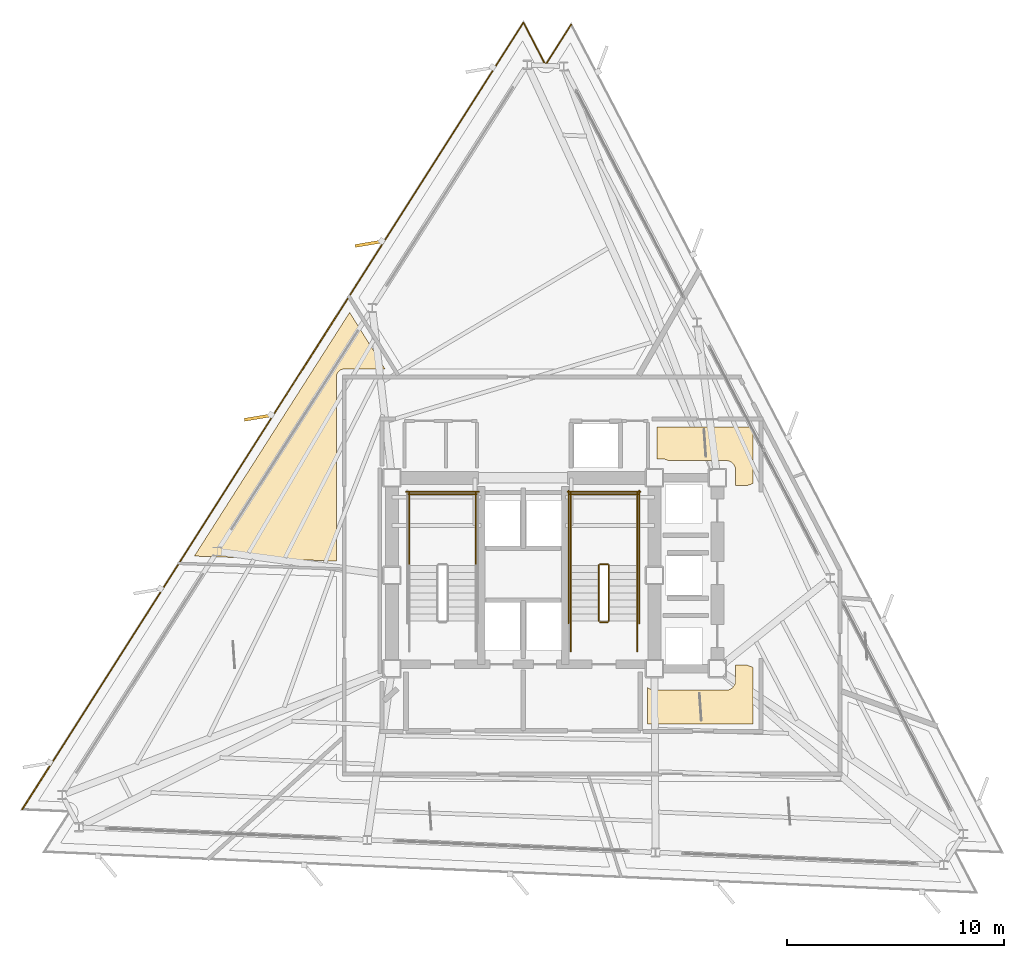
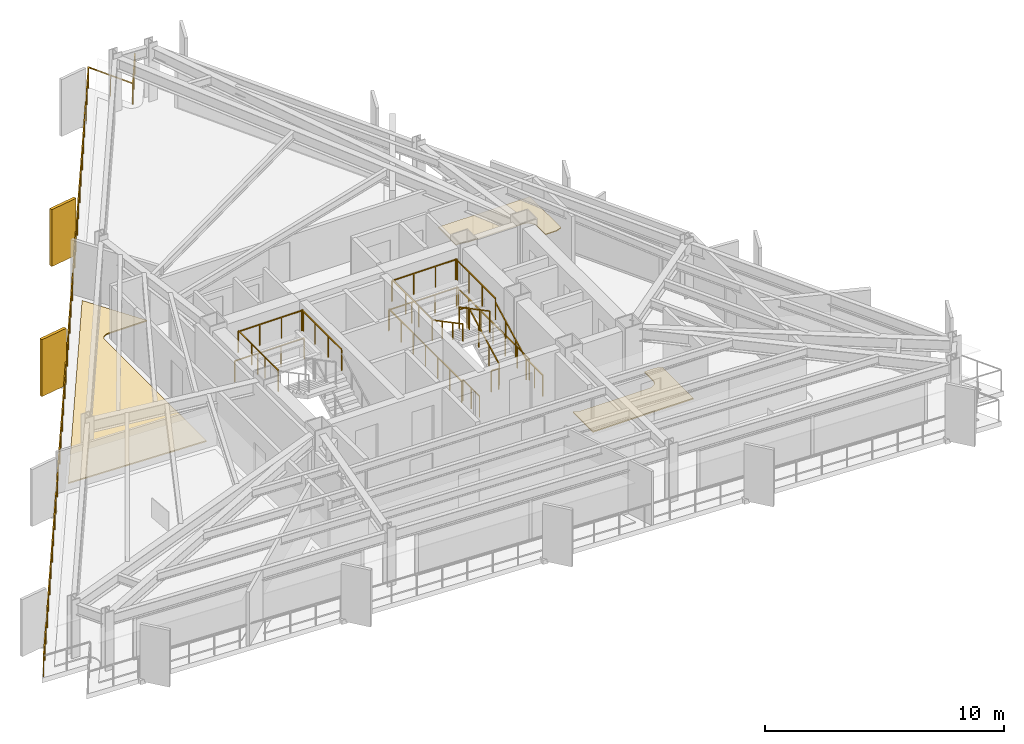
# One storey, part 11 of 12: 19 railings, 3 coverings, 2 shading devices.
"""IFC4 building model written with IfcOpenShell, lengths in metres."""

from ifc_helpers import new_model, si_unit, direction, frame, origin, origin_2d, place, context, subcontext, project, spatial, polyline, rectangle, outline, extrude, material, layer, layer_set, type_object, element, save


model = new_model("IFC4")

# Units and contexts
model_context = context("Model", 3, precision=1e-05, world=origin(), true_north=direction((0.0, 1.0)))
body_context = subcontext(model_context, "Body", "Model", "MODEL_VIEW")
ifc_project = project(units=[si_unit("LENGTHUNIT", "METRE"), si_unit("AREAUNIT", "SQUARE_METRE"), si_unit("VOLUMEUNIT", "CUBIC_METRE"), si_unit("PLANEANGLEUNIT", "RADIAN"), si_unit("MASSUNIT", "GRAM", prefix="KILO")], contexts=[model_context])

# Site, building, storey
site_placement = place(None, origin())
site = spatial("IfcSite", under=ifc_project, at=site_placement, CompositionType="ELEMENT")
building_placement = place(site_placement, origin())
building = spatial("IfcBuilding", under=site, at=building_placement, Name="Rocaltana Carrier Exchange", CompositionType="ELEMENT")
storey_placement = place(building_placement, frame((0.0, 0.0, 135.0400390625)))
storey = spatial("IfcBuildingStorey", under=building, at=storey_placement, Name="L42", CompositionType="ELEMENT", Elevation=135.0400390625)

# Coverings
ifc_material_1 = material(Name="Calcium Sulphate & Aluminium Pedestal", Category="aluminium")
ifc_layer_1 = layer(ifc_material_1, 0.06005859375)
ifc_layer_set_1 = layer_set([ifc_layer_1], Name="Calcium Sulphate & Aluminium Pedestal")
covering_type_1 = type_object("IfcCoveringType", Name="Anti-Static Raised Exchange Access Floor 60", PredefinedType="FLOORING", material=ifc_layer_set_1)
covering_1_placement = place(storey_placement, origin())
element("IfcCovering", 1, at=covering_1_placement, inside=storey, type_object=covering_type_1, Name="L42 Peering Conference Room Finish Floor", PredefinedType="FLOORING", context=body_context, shape_type="SweptSolid", body=[
    extrude(outline(polyline([(5.739990234375, -6.840087890625), (5.739990234375, -5.161865234375), (5.748779296875, -5.170654296875), (5.760498046875, -5.18115234375), (5.78173828125, -5.198486328125), (5.794189453125, -5.2080078125), (5.817138671875, -5.22314453125), (5.83056640625, -5.231201171875), (5.85498046875, -5.244140625), (5.869140625, -5.2509765625), (5.894287109375, -5.261474609375), (5.9091796875, -5.2666015625), (5.935546875, -5.274658203125), (5.95068359375, -5.278564453125), (5.977783203125, -5.283935546875), (5.9931640625, -5.2861328125), (6.0205078125, -5.288818359375), (6.036376953125, -5.289794921875), (6.050048828125, -5.2900390625), (9.35009765625, -5.2900390625), (9.36376953125, -5.289794921875), (9.37939453125, -5.288818359375), (9.40673828125, -5.2861328125), (9.42236328125, -5.283935546875), (9.44921875, -5.278564453125), (9.464599609375, -5.274658203125), (9.49072265625, -5.2666015625), (9.505615234375, -5.261474609375), (9.531005859375, -5.2509765625), (9.545166015625, -5.244140625), (9.5693359375, -5.231201171875), (9.582763671875, -5.22314453125), (9.605712890625, -5.2080078125), (9.618408203125, -5.198486328125), (9.639404296875, -5.18115234375), (9.651123046875, -5.170654296875), (9.670654296875, -5.151123046875), (9.68115234375, -5.139404296875), (9.698486328125, -5.118408203125), (9.7080078125, -5.105712890625), (9.72314453125, -5.082763671875), (9.731201171875, -5.0693359375), (9.744140625, -5.045166015625), (9.7509765625, -5.031005859375), (9.761474609375, -5.005615234375), (9.7666015625, -4.99072265625), (9.774658203125, -4.964599609375), (9.778564453125, -4.94921875), (9.783935546875, -4.92236328125), (9.7861328125, -4.90673828125), (9.788818359375, -4.87939453125), (9.789794921875, -4.86376953125), (9.7900390625, -4.85009765625), (9.7900390625, -4.139892578125), (10.322021484375, -4.139892578125), (10.60009765625, -4.2412109375), (10.60009765625, -6.840087890625), (5.739990234375, -6.840087890625)])), origin(), (0.0, 0.0, 1.0), 0.06005859375),
])
covering_2_placement = place(storey_placement, origin())
element("IfcCovering", 2, at=covering_2_placement, inside=storey, type_object=covering_type_1, Name="L42 Cloud Architecture Office Finish Floor", PredefinedType="FLOORING", context=body_context, shape_type="SweptSolid", body=[
    extrude(outline(polyline([(-8.0, 12.123291015625), (-6.366943359375, 9.510009765625), (-8.25, 9.510009765625), (-8.263671875, 9.509765625), (-8.271484375, 9.50927734375), (-8.298828125, 9.506591796875), (-8.306640625, 9.50537109375), (-8.33349609375, 9.5), (-8.34130859375, 9.498291015625), (-8.36767578125, 9.490234375), (-8.375, 9.487548828125), (-8.400390625, 9.47705078125), (-8.407470703125, 9.4736328125), (-8.431640625, 9.460693359375), (-8.4384765625, 9.456787109375), (-8.461181640625, 9.44140625), (-8.467529296875, 9.436767578125), (-8.48876953125, 9.419189453125), (-8.49462890625, 9.4140625), (-8.513916015625, 9.39453125), (-8.519287109375, 9.388916015625), (-8.53662109375, 9.367431640625), (-8.54150390625, 9.361083984375), (-8.556640625, 9.33837890625), (-8.560791015625, 9.331787109375), (-8.57373046875, 9.307373046875), (-8.576904296875, 9.30029296875), (-8.58740234375, 9.27490234375), (-8.590087890625, 9.267578125), (-8.59814453125, 9.2412109375), (-8.60009765625, 9.233642578125), (-8.60546875, 9.206787109375), (-8.606689453125, 9.198974609375), (-8.609375, 9.171630859375), (-8.609619140625, 9.163818359375), (-8.610107421875, 9.14990234375), (-8.610107421875, 0.660888671875), (-15.15673828125, 0.889404296875), (-8.0, 12.123291015625)])), origin(), (0.0, 0.0, 1.0), 0.06005859375),
])
ifc_material_2 = material(Name="Mineral Fibre & Powder-Coated Aluminium", Category="aluminium")
ifc_layer_2 = layer(ifc_material_2, 0.044921875)
ifc_layer_set_2 = layer_set([ifc_layer_2], Name="Mineral Fibre & Powder-Coated Aluminium")
covering_type_2 = type_object("IfcCoveringType", Name="Micro-Perforated Acoustic Ceiling 45", PredefinedType="CEILING", material=ifc_layer_set_2)
covering_3_placement = place(storey_placement, frame((0.0, 0.0, 2.012939453125)))
element("IfcCovering", 3, at=covering_3_placement, inside=storey, type_object=covering_type_2, Name="L42 Network Engineering Studio Acoustic Ceiling", PredefinedType="CEILING", context=body_context, shape_type="SweptSolid", body=[
    extrude(outline(polyline([(6.159912109375, 6.840087890625), (10.60009765625, 6.840087890625), (10.60009765625, 4.2412109375), (10.322021484375, 4.139892578125), (9.7900390625, 4.139892578125), (9.7900390625, 4.85009765625), (9.789794921875, 4.86376953125), (9.788818359375, 4.87939453125), (9.7861328125, 4.90673828125), (9.783935546875, 4.92236328125), (9.778564453125, 4.94921875), (9.774658203125, 4.964599609375), (9.7666015625, 4.99072265625), (9.761474609375, 5.005615234375), (9.7509765625, 5.031005859375), (9.744140625, 5.045166015625), (9.731201171875, 5.0693359375), (9.72314453125, 5.082763671875), (9.7080078125, 5.105712890625), (9.698486328125, 5.118408203125), (9.68115234375, 5.139404296875), (9.670654296875, 5.151123046875), (9.651123046875, 5.170654296875), (9.639404296875, 5.18115234375), (9.618408203125, 5.198486328125), (9.605712890625, 5.2080078125), (9.582763671875, 5.22314453125), (9.5693359375, 5.231201171875), (9.545166015625, 5.244140625), (9.531005859375, 5.2509765625), (9.505615234375, 5.261474609375), (9.49072265625, 5.2666015625), (9.464599609375, 5.274658203125), (9.44921875, 5.278564453125), (9.42236328125, 5.283935546875), (9.40673828125, 5.2861328125), (9.37939453125, 5.288818359375), (9.36376953125, 5.289794921875), (9.35009765625, 5.2900390625), (6.6875, 5.2900390625), (6.682861328125, 5.293212890625), (6.66943359375, 5.30126953125), (6.64501953125, 5.314208984375), (6.630859375, 5.32080078125), (6.605712890625, 5.33154296875), (6.5908203125, 5.336669921875), (6.564453125, 5.3447265625), (6.54931640625, 5.348388671875), (6.522216796875, 5.35400390625), (6.5068359375, 5.356201171875), (6.4794921875, 5.35888671875), (6.463623046875, 5.359619140625), (6.449951171875, 5.360107421875), (6.159912109375, 5.360107421875), (6.159912109375, 6.840087890625)])), origin(), (0.0, 0.0, 1.0), 0.044921875),
])

# Railings
ifc_material_3 = material(Name="Brushed Architectural Stainless Tube", Category="steel")
ifc_layer_3 = layer(ifc_material_3, 0.048095703125)
ifc_layer_set_3 = layer_set([ifc_layer_3], Name="Brushed Architectural Stainless Tube")
railing_type_1 = type_object("IfcRailingType", Name="Stair Wall Handrail 920", PredefinedType="HANDRAIL", material=ifc_layer_set_3)
railing_1_placement = place(storey_placement, frame((5.25, -2.10009765625, 0.1689453125)))
element("IfcRailing", 4, at=railing_1_placement, inside=storey, type_object=railing_type_1, Name="L42 ST-2 stair handrail 1", PredefinedType="HANDRAIL", context=body_context, shape_type="SweptSolid", body=[
    extrude(rectangle(XDim=0.048095703125, YDim=0.048095703125, at=origin_2d()), frame((0.0, 0.0, 0.8759765625), z_axis=(0.0, 0.884394423565, 0.466740295633), x_axis=(-1.0, 0.0, 0.0)), (0.0, 0.0, 1.0), 2.894775390625),
    extrude(rectangle(XDim=0.0419921875, YDim=0.0419921875, at=origin_2d()), origin(), (0.0, 0.0, 1.0), 0.851806640625),
    extrude(rectangle(XDim=0.0419921875, YDim=0.0419921875, at=origin_2d()), frame((0.0, 0.853271484375, 0.450439453125)), (0.0, 0.0, 1.0), 0.851806640625),
    extrude(rectangle(XDim=0.0419921875, YDim=0.0419921875, at=origin_2d()), frame((0.0, 1.706787109375, 0.900634765625)), (0.0, 0.0, 1.0), 0.851806640625),
    extrude(rectangle(XDim=0.0419921875, YDim=0.0419921875, at=origin_2d()), frame((0.0, 2.56005859375, 1.35107421875)), (0.0, 0.0, 1.0), 0.851806640625),
])
railing_2_placement = place(storey_placement, frame((2.18994140625, 0.4599609375, 1.68896484375)))
element("IfcRailing", 5, at=railing_2_placement, inside=storey, type_object=railing_type_1, Name="L42 ST-2 stair handrail 2", PredefinedType="HANDRAIL", context=body_context, shape_type="SweptSolid", body=[
    extrude(rectangle(XDim=0.048095703125, YDim=0.048095703125, at=origin_2d()), frame((0.0, 0.0, 0.8759765625), z_axis=(0.0, -0.884394423565, 0.466740295633), x_axis=(1.0, 0.0, 0.0)), (0.0, 0.0, 1.0), 2.894775390625),
    extrude(rectangle(XDim=0.0419921875, YDim=0.0419921875, at=origin_2d()), origin(), (0.0, 0.0, 1.0), 0.851806640625),
    extrude(rectangle(XDim=0.0419921875, YDim=0.0419921875, at=origin_2d()), frame((0.0, -0.853271484375, 0.450439453125)), (0.0, 0.0, 1.0), 0.851806640625),
    extrude(rectangle(XDim=0.0419921875, YDim=0.0419921875, at=origin_2d()), frame((0.0, -1.706787109375, 0.900634765625)), (0.0, 0.0, 1.0), 0.851806640625),
    extrude(rectangle(XDim=0.0419921875, YDim=0.0419921875, at=origin_2d()), frame((0.0, -2.56005859375, 1.35107421875)), (0.0, 0.0, 1.0), 0.851806640625),
])
ifc_material_4 = material(Name="Powder-Coated Aluminium 6063-T6", Category="aluminium")
ifc_layer_4 = layer(ifc_material_4, 0.048095703125)
ifc_layer_set_4 = layer_set([ifc_layer_4], Name="Powder-Coated Aluminium 6063-T6")
railing_type_2 = type_object("IfcRailingType", Name="Stair Well Guardrail 1100", PredefinedType="GUARDRAIL", material=ifc_layer_set_4)
for number, where, name in (
    (6, (-2.18994140625, 0.4599609375, 1.52001953125), "L42 ST-1 stair guard 3"),
    (7, (-5.25, 0.4599609375, 1.52001953125), "L42 ST-1 stair guard 4"),
):
    element("IfcRailing", number, at=place(storey_placement, frame(where)), inside=storey, type_object=railing_type_2, Name=name, PredefinedType="GUARDRAIL", context=body_context, shape_type="SweptSolid", body=[
        extrude(rectangle(XDim=0.048095703125, YDim=0.048095703125, at=origin_2d()), frame((0.0, 0.0, 1.076171875), z_axis=(0.0, 1.0, 0.0), x_axis=(-1.0, 0.0, 0.0)), (0.0, 0.0, 1.0), 3.340087890625),
        extrude(rectangle(XDim=0.0419921875, YDim=0.0419921875, at=origin_2d()), origin(), (0.0, 0.0, 1.0), 1.052001953125),
        extrude(rectangle(XDim=0.0419921875, YDim=0.0419921875, at=origin_2d()), frame((0.0, 1.11328125, 0.0)), (0.0, 0.0, 1.0), 1.052001953125),
        extrude(rectangle(XDim=0.0419921875, YDim=0.0419921875, at=origin_2d()), frame((0.0, 2.226806640625, 0.0)), (0.0, 0.0, 1.0), 1.052001953125),
        extrude(rectangle(XDim=0.0419921875, YDim=0.0419921875, at=origin_2d()), frame((0.0, 3.340087890625, 0.0)), (0.0, 0.0, 1.0), 1.052001953125),
    ])
railing_3_placement = place(storey_placement, frame((-2.139892578125, 3.75, 1.52001953125)))
element("IfcRailing", 8, at=railing_3_placement, inside=storey, type_object=railing_type_2, Name="L42 ST-1 stair guard 5", PredefinedType="GUARDRAIL", context=body_context, shape_type="SweptSolid", body=[
    extrude(rectangle(XDim=0.048095703125, YDim=0.048095703125, at=origin_2d()), frame((0.0, 0.0, 1.076171875), z_axis=(-1.0, 0.0, 0.0), x_axis=(0.0, -1.0, 0.0)), (0.0, 0.0, 1.0), 3.16015625),
    extrude(rectangle(XDim=0.0419921875, YDim=0.0419921875, at=origin_2d()), origin(), (0.0, 0.0, 1.0), 1.052001953125),
    extrude(rectangle(XDim=0.0419921875, YDim=0.0419921875, at=origin_2d()), frame((-1.053466796875, 0.0, 0.0)), (0.0, 0.0, 1.0), 1.052001953125),
    extrude(rectangle(XDim=0.0419921875, YDim=0.0419921875, at=origin_2d()), frame((-2.106689453125, 0.0, 0.0)), (0.0, 0.0, 1.0), 1.052001953125),
    extrude(rectangle(XDim=0.0419921875, YDim=0.0419921875, at=origin_2d()), frame((-3.16015625, 0.0, 0.0)), (0.0, 0.0, 1.0), 1.052001953125),
])
railing_4_placement = place(storey_placement, frame((-2.0400390625, 3.85009765625, 0.0)))
element("IfcRailing", 9, at=railing_4_placement, inside=storey, type_object=railing_type_2, Name="L42 ST-1 stair guard 12", PredefinedType="GUARDRAIL", context=body_context, shape_type="SweptSolid", body=[
    extrude(rectangle(XDim=0.048095703125, YDim=0.048095703125, at=origin_2d()), frame((0.0, 0.0, 1.076171875), z_axis=(-1.0, 0.0, 0.0), x_axis=(0.0, -1.0, 0.0)), (0.0, 0.0, 1.0), 3.35986328125),
    extrude(rectangle(XDim=0.0419921875, YDim=0.0419921875, at=origin_2d()), origin(), (0.0, 0.0, 1.0), 1.052001953125),
    extrude(rectangle(XDim=0.0419921875, YDim=0.0419921875, at=origin_2d()), frame((-1.119873046875, 0.0, 0.0)), (0.0, 0.0, 1.0), 1.052001953125),
    extrude(rectangle(XDim=0.0419921875, YDim=0.0419921875, at=origin_2d()), frame((-2.239990234375, 0.0, 0.0)), (0.0, 0.0, 1.0), 1.052001953125),
    extrude(rectangle(XDim=0.0419921875, YDim=0.0419921875, at=origin_2d()), frame((-3.35986328125, 0.0, 0.0)), (0.0, 0.0, 1.0), 1.052001953125),
])
railing_5_placement = place(storey_placement, frame((3.949951171875, -2.10009765625, 0.1689453125)))
element("IfcRailing", 10, at=railing_5_placement, inside=storey, type_object=railing_type_2, Name="L42 ST-2 stair guard 1", PredefinedType="GUARDRAIL", context=body_context, shape_type="SweptSolid", body=[
    extrude(rectangle(XDim=0.048095703125, YDim=0.048095703125, at=origin_2d()), frame((0.0, 0.0, 1.076171875), z_axis=(0.0, 0.884394423565, 0.466740295633), x_axis=(-1.0, 0.0, 0.0)), (0.0, 0.0, 1.0), 2.894775390625),
    extrude(rectangle(XDim=0.0419921875, YDim=0.0419921875, at=origin_2d()), origin(), (0.0, 0.0, 1.0), 1.052001953125),
    extrude(rectangle(XDim=0.0419921875, YDim=0.0419921875, at=origin_2d()), frame((0.0, 0.853271484375, 0.450439453125)), (0.0, 0.0, 1.0), 1.052001953125),
    extrude(rectangle(XDim=0.0419921875, YDim=0.0419921875, at=origin_2d()), frame((0.0, 1.706787109375, 0.900634765625)), (0.0, 0.0, 1.0), 1.052001953125),
    extrude(rectangle(XDim=0.0419921875, YDim=0.0419921875, at=origin_2d()), frame((0.0, 2.56005859375, 1.35107421875)), (0.0, 0.0, 1.0), 1.052001953125),
])
railing_6_placement = place(storey_placement, frame((3.89990234375, 0.510009765625, 1.52001953125)))
element("IfcRailing", 11, at=railing_6_placement, inside=storey, type_object=railing_type_2, Name="L42 ST-2 stair guard 2", PredefinedType="GUARDRAIL", context=body_context, shape_type="SweptSolid", body=[
    extrude(rectangle(XDim=0.048095703125, YDim=0.048095703125, at=origin_2d()), frame((0.0, 0.0, 1.076171875), z_axis=(-1.0, 0.0, 0.0), x_axis=(0.0, -1.0, 0.0)), (0.0, 0.0, 1.0), 0.35986328125),
    extrude(rectangle(XDim=0.0419921875, YDim=0.0419921875, at=origin_2d()), origin(), (0.0, 0.0, 1.0), 1.052001953125),
    extrude(rectangle(XDim=0.0419921875, YDim=0.0419921875, at=origin_2d()), frame((-0.35986328125, 0.0, 0.0)), (0.0, 0.0, 1.0), 1.052001953125),
])
for number, where, name in (
    (12, (5.25, 0.4599609375, 1.52001953125), "L42 ST-2 stair guard 3"),
    (13, (2.18994140625, 0.4599609375, 1.52001953125), "L42 ST-2 stair guard 4"),
):
    element("IfcRailing", number, at=place(storey_placement, frame(where)), inside=storey, type_object=railing_type_2, Name=name, PredefinedType="GUARDRAIL", context=body_context, shape_type="SweptSolid", body=[
        extrude(rectangle(XDim=0.048095703125, YDim=0.048095703125, at=origin_2d()), frame((0.0, 0.0, 1.076171875), z_axis=(0.0, 1.0, 0.0), x_axis=(-1.0, 0.0, 0.0)), (0.0, 0.0, 1.0), 3.340087890625),
        extrude(rectangle(XDim=0.0419921875, YDim=0.0419921875, at=origin_2d()), origin(), (0.0, 0.0, 1.0), 1.052001953125),
        extrude(rectangle(XDim=0.0419921875, YDim=0.0419921875, at=origin_2d()), frame((0.0, 1.11328125, 0.0)), (0.0, 0.0, 1.0), 1.052001953125),
        extrude(rectangle(XDim=0.0419921875, YDim=0.0419921875, at=origin_2d()), frame((0.0, 2.226806640625, 0.0)), (0.0, 0.0, 1.0), 1.052001953125),
        extrude(rectangle(XDim=0.0419921875, YDim=0.0419921875, at=origin_2d()), frame((0.0, 3.340087890625, 0.0)), (0.0, 0.0, 1.0), 1.052001953125),
    ])
railing_7_placement = place(storey_placement, frame((5.300048828125, 3.75, 1.52001953125)))
element("IfcRailing", 14, at=railing_7_placement, inside=storey, type_object=railing_type_2, Name="L42 ST-2 stair guard 5", PredefinedType="GUARDRAIL", context=body_context, shape_type="SweptSolid", body=[
    extrude(rectangle(XDim=0.048095703125, YDim=0.048095703125, at=origin_2d()), frame((0.0, 0.0, 1.076171875), z_axis=(-1.0, 0.0, 0.0), x_axis=(0.0, -1.0, 0.0)), (0.0, 0.0, 1.0), 3.16015625),
    extrude(rectangle(XDim=0.0419921875, YDim=0.0419921875, at=origin_2d()), origin(), (0.0, 0.0, 1.0), 1.052001953125),
    extrude(rectangle(XDim=0.0419921875, YDim=0.0419921875, at=origin_2d()), frame((-1.053466796875, 0.0, 0.0)), (0.0, 0.0, 1.0), 1.052001953125),
    extrude(rectangle(XDim=0.0419921875, YDim=0.0419921875, at=origin_2d()), frame((-2.106689453125, 0.0, 0.0)), (0.0, 0.0, 1.0), 1.052001953125),
    extrude(rectangle(XDim=0.0419921875, YDim=0.0419921875, at=origin_2d()), frame((-3.16015625, 0.0, 0.0)), (0.0, 0.0, 1.0), 1.052001953125),
])
railing_8_placement = place(storey_placement, frame((3.489990234375, 0.4599609375, 1.68896484375)))
element("IfcRailing", 15, at=railing_8_placement, inside=storey, type_object=railing_type_2, Name="L42 ST-2 stair guard 6", PredefinedType="GUARDRAIL", context=body_context, shape_type="SweptSolid", body=[
    extrude(rectangle(XDim=0.048095703125, YDim=0.048095703125, at=origin_2d()), frame((0.0, 0.0, 1.076171875), z_axis=(0.0, -0.884394423565, 0.466740295633), x_axis=(1.0, 0.0, 0.0)), (0.0, 0.0, 1.0), 2.894775390625),
    extrude(rectangle(XDim=0.0419921875, YDim=0.0419921875, at=origin_2d()), origin(), (0.0, 0.0, 1.0), 1.052001953125),
    extrude(rectangle(XDim=0.0419921875, YDim=0.0419921875, at=origin_2d()), frame((0.0, -0.853271484375, 0.450439453125)), (0.0, 0.0, 1.0), 1.052001953125),
    extrude(rectangle(XDim=0.0419921875, YDim=0.0419921875, at=origin_2d()), frame((0.0, -1.706787109375, 0.900634765625)), (0.0, 0.0, 1.0), 1.052001953125),
    extrude(rectangle(XDim=0.0419921875, YDim=0.0419921875, at=origin_2d()), frame((0.0, -2.56005859375, 1.35107421875)), (0.0, 0.0, 1.0), 1.052001953125),
])
railing_9_placement = place(storey_placement, frame((3.89990234375, -2.14990234375, 0.0)))
element("IfcRailing", 16, at=railing_9_placement, inside=storey, type_object=railing_type_2, Name="L42 ST-2 stair guard 7", PredefinedType="GUARDRAIL", context=body_context, shape_type="SweptSolid", body=[
    extrude(rectangle(XDim=0.048095703125, YDim=0.048095703125, at=origin_2d()), frame((0.0, 0.0, 1.076171875), z_axis=(-1.0, 0.0, 0.0), x_axis=(0.0, -1.0, 0.0)), (0.0, 0.0, 1.0), 0.35986328125),
    extrude(rectangle(XDim=0.0419921875, YDim=0.0419921875, at=origin_2d()), origin(), (0.0, 0.0, 1.0), 1.052001953125),
    extrude(rectangle(XDim=0.0419921875, YDim=0.0419921875, at=origin_2d()), frame((-0.35986328125, 0.0, 0.0)), (0.0, 0.0, 1.0), 1.052001953125),
])
for number, where, name in (
    (17, (5.25, -3.5, 0.0), "L42 ST-2 stair guard 8"),
    (18, (2.18994140625, -3.5, 0.0), "L42 ST-2 stair guard 9"),
):
    element("IfcRailing", number, at=place(storey_placement, frame(where)), inside=storey, type_object=railing_type_2, Name=name, PredefinedType="GUARDRAIL", context=body_context, shape_type="SweptSolid", body=[
        extrude(rectangle(XDim=0.048095703125, YDim=0.048095703125, at=origin_2d()), frame((0.0, 0.0, 1.076171875), z_axis=(0.0, 1.0, 0.0), x_axis=(-1.0, 0.0, 0.0)), (0.0, 0.0, 1.0), 1.39990234375),
        extrude(rectangle(XDim=0.0419921875, YDim=0.0419921875, at=origin_2d()), origin(), (0.0, 0.0, 1.0), 1.052001953125),
        extrude(rectangle(XDim=0.0419921875, YDim=0.0419921875, at=origin_2d()), frame((0.0, 0.699951171875, 0.0)), (0.0, 0.0, 1.0), 1.052001953125),
        extrude(rectangle(XDim=0.0419921875, YDim=0.0419921875, at=origin_2d()), frame((0.0, 1.39990234375, 0.0)), (0.0, 0.0, 1.0), 1.052001953125),
    ])
for number, where, name in (
    (19, (5.35009765625, -2.199951171875, 0.0), "L42 ST-2 stair guard 10"),
    (20, (2.090087890625, -2.199951171875, 0.0), "L42 ST-2 stair guard 11"),
):
    element("IfcRailing", number, at=place(storey_placement, frame(where)), inside=storey, type_object=railing_type_2, Name=name, PredefinedType="GUARDRAIL", context=body_context, shape_type="SweptSolid", body=[
        extrude(rectangle(XDim=0.048095703125, YDim=0.048095703125, at=origin_2d()), frame((0.0, 0.0, 1.076171875), z_axis=(0.0, 1.0, 0.0), x_axis=(-1.0, 0.0, 0.0)), (0.0, 0.0, 1.0), 6.099853515625),
        extrude(rectangle(XDim=0.0419921875, YDim=0.0419921875, at=origin_2d()), origin(), (0.0, 0.0, 1.0), 1.052001953125),
        extrude(rectangle(XDim=0.0419921875, YDim=0.0419921875, at=origin_2d()), frame((0.0, 1.0166015625, 0.0)), (0.0, 0.0, 1.0), 1.052001953125),
        extrude(rectangle(XDim=0.0419921875, YDim=0.0419921875, at=origin_2d()), frame((0.0, 2.033203125, 0.0)), (0.0, 0.0, 1.0), 1.052001953125),
        extrude(rectangle(XDim=0.0419921875, YDim=0.0419921875, at=origin_2d()), frame((0.0, 3.0498046875, 0.0)), (0.0, 0.0, 1.0), 1.052001953125),
        extrude(rectangle(XDim=0.0419921875, YDim=0.0419921875, at=origin_2d()), frame((0.0, 4.066650390625, 0.0)), (0.0, 0.0, 1.0), 1.052001953125),
        extrude(rectangle(XDim=0.0419921875, YDim=0.0419921875, at=origin_2d()), frame((0.0, 5.083251953125, 0.0)), (0.0, 0.0, 1.0), 1.052001953125),
        extrude(rectangle(XDim=0.0419921875, YDim=0.0419921875, at=origin_2d()), frame((0.0, 6.099853515625, 0.0)), (0.0, 0.0, 1.0), 1.052001953125),
    ])
railing_10_placement = place(storey_placement, frame((5.39990234375, 3.85009765625, 0.0)))
element("IfcRailing", 21, at=railing_10_placement, inside=storey, type_object=railing_type_2, Name="L42 ST-2 stair guard 12", PredefinedType="GUARDRAIL", context=body_context, shape_type="SweptSolid", body=[
    extrude(rectangle(XDim=0.048095703125, YDim=0.048095703125, at=origin_2d()), frame((0.0, 0.0, 1.076171875), z_axis=(-1.0, 0.0, 0.0), x_axis=(0.0, -1.0, 0.0)), (0.0, 0.0, 1.0), 3.35986328125),
    extrude(rectangle(XDim=0.0419921875, YDim=0.0419921875, at=origin_2d()), origin(), (0.0, 0.0, 1.0), 1.052001953125),
    extrude(rectangle(XDim=0.0419921875, YDim=0.0419921875, at=origin_2d()), frame((-1.119873046875, 0.0, 0.0)), (0.0, 0.0, 1.0), 1.052001953125),
    extrude(rectangle(XDim=0.0419921875, YDim=0.0419921875, at=origin_2d()), frame((-2.239990234375, 0.0, 0.0)), (0.0, 0.0, 1.0), 1.052001953125),
    extrude(rectangle(XDim=0.0419921875, YDim=0.0419921875, at=origin_2d()), frame((-3.35986328125, 0.0, 0.0)), (0.0, 0.0, 1.0), 1.052001953125),
])

# Shading devices
ifc_material_5 = material(Name="Honed Bogota Sandstone & Concrete C45/55", Category="masonry")
ifc_layer_5 = layer(ifc_material_5, 0.139892578125)
ifc_layer_set_5 = layer_set([ifc_layer_5], Name="Honed Bogota Sandstone & Concrete C45/55")
shading_device_type = type_object("IfcShadingDeviceType", Name="Vertical Sandstone Shading Fin 1320x140", PredefinedType="USERDEFINED", material=ifc_layer_set_5)
for number, where, z_axis, x_axis, name in (
    (22, (-7.09619140625, 15.29296875, -0.1201171875), (0.0, 0.0, 1.0), (-0.986285601537, -0.165047605861, 0.0), "L42 Sandstone Vertical Fin F2-02"),
    (23, (-12.200439453125, 7.28076171875, -0.1201171875), (0.0, 0.0, 1.0), (-0.986285601537, -0.165047605861, 0.0), "L42 Sandstone Vertical Fin F2-03"),
):
    element("IfcShadingDevice", number, at=place(storey_placement, frame(where, z_axis=z_axis, x_axis=x_axis)), inside=storey, type_object=shading_device_type, Name=name, ObjectType="FIN", PredefinedType="USERDEFINED", context=body_context, shape_type="SweptSolid", body=[
        extrude(rectangle(XDim=1.320068359375, YDim=0.139892578125, at=origin_2d()), origin(), (0.0, 0.0, 1.0), 2.907958984375),
    ])

# Railing
ifc_material_6 = material(Name="Powder-Coated Aluminium 6063-T6", Category="aluminium")
ifc_layer_6 = layer(ifc_material_6, 0.06005859375)
ifc_layer_set_6 = layer_set([ifc_layer_6], Name="Powder-Coated Aluminium 6063-T6")
railing_type_3 = type_object("IfcRailingType", Name="Wind-Floor & Terrace Perimeter Guardrail 1100", PredefinedType="GUARDRAIL", material=ifc_layer_set_6)
railing_11_placement = place(storey_placement, frame((-23.08837890625, -10.77880859375, 0.0)))
element("IfcRailing", 24, at=railing_11_placement, inside=storey, type_object=railing_type_3, Name="L42 Perimeter Balcony Guardrail 2", PredefinedType="GUARDRAIL", context=body_context, shape_type="SweptSolid", body=[
    extrude(rectangle(XDim=0.048095703125, YDim=0.048095703125, at=origin_2d()), frame((0.0, 0.0, 1.076171875), z_axis=(0.537302027916, 0.843389904373, 0.0), x_axis=(-0.843389904373, 0.537302027916, 0.0)), (0.0, 0.0, 1.0), 42.9921875),
    extrude(rectangle(XDim=0.048095703125, YDim=0.048095703125, at=origin_2d()), frame((23.099853515625, 36.25927734375, 1.076171875), z_axis=(0.46171255631, -0.887029602294, 0.0), x_axis=(0.887029602294, 0.46171255631, 0.0)), (0.0, 0.0, 1.0), 2.2001953125),
    extrude(rectangle(XDim=0.048095703125, YDim=0.048095703125, at=origin_2d()), frame((24.11572265625, 34.3076171875, 1.076171875), z_axis=(0.537270321913, 0.843410102614, 0.0), x_axis=(-0.843410102614, 0.537270321913, 0.0)), (0.0, 0.0, 1.0), 2.2001953125),
    extrude(rectangle(XDim=0.0419921875, YDim=0.0419921875, at=origin_2d()), origin(), (0.0, 0.0, 1.0), 1.052001953125),
    extrude(rectangle(XDim=0.0419921875, YDim=0.0419921875, at=origin_2d()), frame((0.6416015625, 1.00732421875, 0.0)), (0.0, 0.0, 1.0), 1.052001953125),
    extrude(rectangle(XDim=0.0419921875, YDim=0.0419921875, at=origin_2d()), frame((1.283203125, 2.014404296875, 0.0)), (0.0, 0.0, 1.0), 1.052001953125),
    extrude(rectangle(XDim=0.0419921875, YDim=0.0419921875, at=origin_2d()), frame((1.925048828125, 3.021484375, 0.0)), (0.0, 0.0, 1.0), 1.052001953125),
    extrude(rectangle(XDim=0.0419921875, YDim=0.0419921875, at=origin_2d()), frame((2.566650390625, 4.02880859375, 0.0)), (0.0, 0.0, 1.0), 1.052001953125),
    extrude(rectangle(XDim=0.0419921875, YDim=0.0419921875, at=origin_2d()), frame((3.208251953125, 5.0361328125, 0.0)), (0.0, 0.0, 1.0), 1.052001953125),
    extrude(rectangle(XDim=0.0419921875, YDim=0.0419921875, at=origin_2d()), frame((3.85009765625, 6.043212890625, 0.0)), (0.0, 0.0, 1.0), 1.052001953125),
    extrude(rectangle(XDim=0.0419921875, YDim=0.0419921875, at=origin_2d()), frame((4.49169921875, 7.05029296875, 0.0)), (0.0, 0.0, 1.0), 1.052001953125),
    extrude(rectangle(XDim=0.0419921875, YDim=0.0419921875, at=origin_2d()), frame((5.13330078125, 8.0576171875, 0.0)), (0.0, 0.0, 1.0), 1.052001953125),
    extrude(rectangle(XDim=0.0419921875, YDim=0.0419921875, at=origin_2d()), frame((5.77490234375, 9.06494140625, 0.0)), (0.0, 0.0, 1.0), 1.052001953125),
    extrude(rectangle(XDim=0.0419921875, YDim=0.0419921875, at=origin_2d()), frame((6.41650390625, 10.072021484375, 0.0)), (0.0, 0.0, 1.0), 1.052001953125),
    extrude(rectangle(XDim=0.0419921875, YDim=0.0419921875, at=origin_2d()), frame((7.058349609375, 11.079345703125, 0.0)), (0.0, 0.0, 1.0), 1.052001953125),
    extrude(rectangle(XDim=0.0419921875, YDim=0.0419921875, at=origin_2d()), frame((7.699951171875, 12.08642578125, 0.0)), (0.0, 0.0, 1.0), 1.052001953125),
    extrude(rectangle(XDim=0.0419921875, YDim=0.0419921875, at=origin_2d()), frame((8.341552734375, 13.09375, 0.0)), (0.0, 0.0, 1.0), 1.052001953125),
    extrude(rectangle(XDim=0.0419921875, YDim=0.0419921875, at=origin_2d()), frame((8.9833984375, 14.100830078125, 0.0)), (0.0, 0.0, 1.0), 1.052001953125),
    extrude(rectangle(XDim=0.0419921875, YDim=0.0419921875, at=origin_2d()), frame((9.625, 15.10791015625, 0.0)), (0.0, 0.0, 1.0), 1.052001953125),
    extrude(rectangle(XDim=0.0419921875, YDim=0.0419921875, at=origin_2d()), frame((10.2666015625, 16.115234375, 0.0)), (0.0, 0.0, 1.0), 1.052001953125),
    extrude(rectangle(XDim=0.0419921875, YDim=0.0419921875, at=origin_2d()), frame((10.908203125, 17.12255859375, 0.0)), (0.0, 0.0, 1.0), 1.052001953125),
    extrude(rectangle(XDim=0.0419921875, YDim=0.0419921875, at=origin_2d()), frame((11.5498046875, 18.129638671875, 0.0)), (0.0, 0.0, 1.0), 1.052001953125),
    extrude(rectangle(XDim=0.0419921875, YDim=0.0419921875, at=origin_2d()), frame((12.191650390625, 19.13671875, 0.0)), (0.0, 0.0, 1.0), 1.052001953125),
    extrude(rectangle(XDim=0.0419921875, YDim=0.0419921875, at=origin_2d()), frame((12.833251953125, 20.14404296875, 0.0)), (0.0, 0.0, 1.0), 1.052001953125),
    extrude(rectangle(XDim=0.0419921875, YDim=0.0419921875, at=origin_2d()), frame((13.474853515625, 21.1513671875, 0.0)), (0.0, 0.0, 1.0), 1.052001953125),
    extrude(rectangle(XDim=0.0419921875, YDim=0.0419921875, at=origin_2d()), frame((14.11669921875, 22.158447265625, 0.0)), (0.0, 0.0, 1.0), 1.052001953125),
    extrude(rectangle(XDim=0.0419921875, YDim=0.0419921875, at=origin_2d()), frame((14.75830078125, 23.16552734375, 0.0)), (0.0, 0.0, 1.0), 1.052001953125),
    extrude(rectangle(XDim=0.0419921875, YDim=0.0419921875, at=origin_2d()), frame((15.39990234375, 24.1728515625, 0.0)), (0.0, 0.0, 1.0), 1.052001953125),
    extrude(rectangle(XDim=0.0419921875, YDim=0.0419921875, at=origin_2d()), frame((16.04150390625, 25.18017578125, 0.0)), (0.0, 0.0, 1.0), 1.052001953125),
    extrude(rectangle(XDim=0.0419921875, YDim=0.0419921875, at=origin_2d()), frame((16.68310546875, 26.187255859375, 0.0)), (0.0, 0.0, 1.0), 1.052001953125),
    extrude(rectangle(XDim=0.0419921875, YDim=0.0419921875, at=origin_2d()), frame((17.324951171875, 27.1943359375, 0.0)), (0.0, 0.0, 1.0), 1.052001953125),
    extrude(rectangle(XDim=0.0419921875, YDim=0.0419921875, at=origin_2d()), frame((17.966552734375, 28.20166015625, 0.0)), (0.0, 0.0, 1.0), 1.052001953125),
    extrude(rectangle(XDim=0.0419921875, YDim=0.0419921875, at=origin_2d()), frame((18.608154296875, 29.208984375, 0.0)), (0.0, 0.0, 1.0), 1.052001953125),
    extrude(rectangle(XDim=0.0419921875, YDim=0.0419921875, at=origin_2d()), frame((19.25, 30.216064453125, 0.0)), (0.0, 0.0, 1.0), 1.052001953125),
    extrude(rectangle(XDim=0.0419921875, YDim=0.0419921875, at=origin_2d()), frame((19.8916015625, 31.223388671875, 0.0)), (0.0, 0.0, 1.0), 1.052001953125),
    extrude(rectangle(XDim=0.0419921875, YDim=0.0419921875, at=origin_2d()), frame((20.533203125, 32.23046875, 0.0)), (0.0, 0.0, 1.0), 1.052001953125),
    extrude(rectangle(XDim=0.0419921875, YDim=0.0419921875, at=origin_2d()), frame((21.1748046875, 33.23779296875, 0.0)), (0.0, 0.0, 1.0), 1.052001953125),
    extrude(rectangle(XDim=0.0419921875, YDim=0.0419921875, at=origin_2d()), frame((21.81640625, 34.244873046875, 0.0)), (0.0, 0.0, 1.0), 1.052001953125),
    extrude(rectangle(XDim=0.0419921875, YDim=0.0419921875, at=origin_2d()), frame((22.458251953125, 35.251953125, 0.0)), (0.0, 0.0, 1.0), 1.052001953125),
    extrude(rectangle(XDim=0.0419921875, YDim=0.0419921875, at=origin_2d()), frame((23.099853515625, 36.25927734375, 0.0)), (0.0, 0.0, 1.0), 1.052001953125),
    extrude(rectangle(XDim=0.0419921875, YDim=0.0419921875, at=origin_2d()), frame((23.60791015625, 35.283447265625, 0.0)), (0.0, 0.0, 1.0), 1.052001953125),
    extrude(rectangle(XDim=0.0419921875, YDim=0.0419921875, at=origin_2d()), frame((24.11572265625, 34.3076171875, 0.0)), (0.0, 0.0, 1.0), 1.052001953125),
    extrude(rectangle(XDim=0.0419921875, YDim=0.0419921875, at=origin_2d()), frame((24.706787109375, 35.2353515625, 0.0)), (0.0, 0.0, 1.0), 1.052001953125),
    extrude(rectangle(XDim=0.0419921875, YDim=0.0419921875, at=origin_2d()), frame((25.2978515625, 36.163330078125, 0.0)), (0.0, 0.0, 1.0), 1.052001953125),
])

save(model, "model.ifc")
